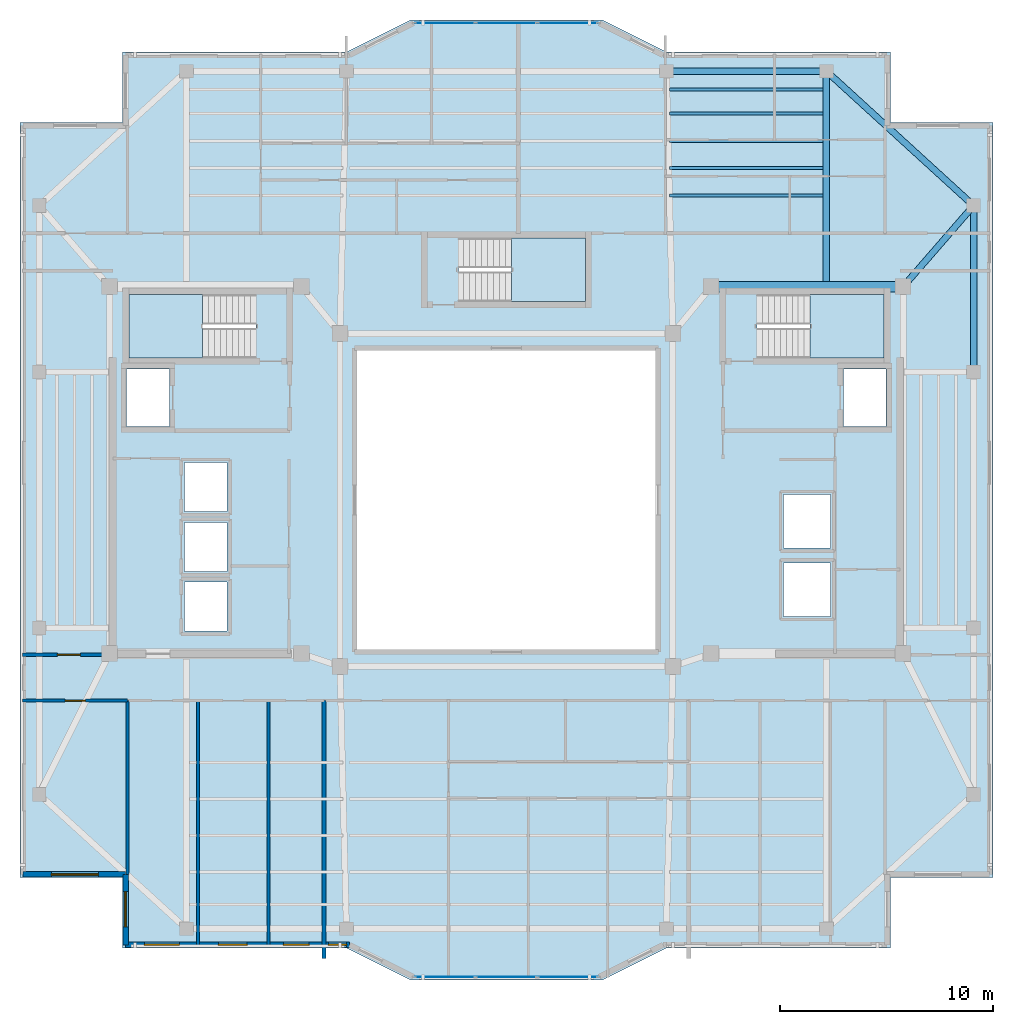
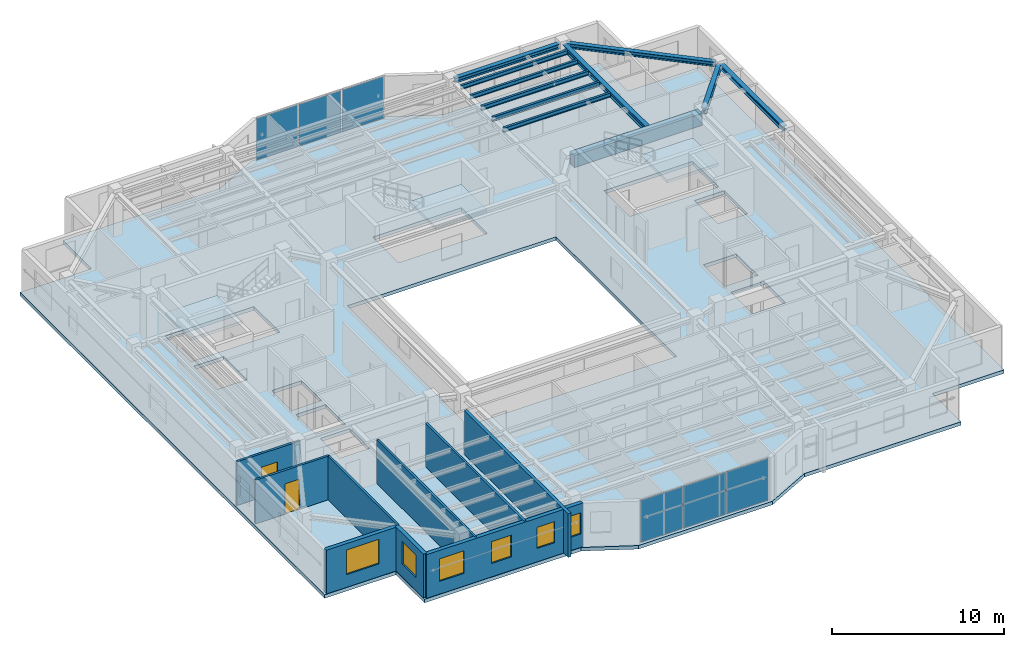
# One storey, part 5 of 13: 11 beams, 9 walls, 6 plates, 6 windows, 4 slabs, 2 doors, 8 openings, 5 elements without a shape of their own.
"""IFC4 building model written with IfcOpenShell, lengths in metres."""

from ifc_helpers import new_model, si_unit, direction, frame, frame_2d, origin, origin_2d, place, context, subcontext, project, spatial, polyline, rectangle, i_section, outline, extrude, material, layer, layer_set, material_profile, profile_set, type_object, element, fill, aggregate, save


model = new_model("IFC4")

# Units and contexts
model_context = context("Model", 3, precision=1e-05, world=origin(), true_north=direction((0.0, 1.0)))
body_context = subcontext(model_context, "Body", "Model", "MODEL_VIEW")
ifc_project = project(units=[si_unit("LENGTHUNIT", "METRE"), si_unit("AREAUNIT", "SQUARE_METRE"), si_unit("VOLUMEUNIT", "CUBIC_METRE"), si_unit("PLANEANGLEUNIT", "RADIAN"), si_unit("MASSUNIT", "GRAM", prefix="KILO")], contexts=[model_context])

# Site, building, storey
site_placement = place(None, origin())
site = spatial("IfcSite", under=ifc_project, at=site_placement, CompositionType="ELEMENT")
building_placement = place(site_placement, origin())
building = spatial("IfcBuilding", under=site, at=building_placement, Name="Tarnavaz Court Tower", CompositionType="ELEMENT")
storey_placement = place(building_placement, frame((0.0, 0.0, 251.550048828125)))
storey = spatial("IfcBuildingStorey", under=building, at=storey_placement, Name="L68", CompositionType="ELEMENT", Elevation=251.550048828125)

# Beams
ifc_material_1 = material(Name="Concrete C50/60", Category="concrete")
ifc_material_profile_1 = material_profile(ifc_material_1, rectangle(XDim=0.5, YDim=0.85009765625, at=origin_2d()), Name="RC 500X850")
ifc_profile_set_1 = profile_set([ifc_material_profile_1], Name="Concrete C50/60")
beam_type_1 = type_object("IfcBeamType", Name="BM-CB850", PredefinedType="LINTEL", material=ifc_profile_set_1)
beam_1_placement = place(storey_placement, frame((18.3798828125, 10.0, 2.675048828125), z_axis=(-1.0, 0.0, 0.0), x_axis=(0.0, -1.0, 0.0)))
element("IfcBeam", 1, at=beam_1_placement, inside=storey, type_object=beam_type_1, Name="L68 Beam IN-CE-NO-CE-NI", PredefinedType="LINTEL", context=body_context, shape_type="SweptSolid", body=[
    extrude(rectangle(XDim=0.5, YDim=0.85009765625, at=origin_2d()), origin(), (0.0, 0.0, 1.0), 8.559814453125),
])
ifc_material_2 = material(Name="Steel S355", Category="steel")
ifc_material_profile_2 = material_profile(ifc_material_2, i_section(OverallWidth=0.300048828125, OverallDepth=0.39990234375, WebThickness=0.013427734375, FlangeThickness=0.02392578125, FilletRadius=0.027099609375, at=origin_2d()), Name="HEB 400")
ifc_profile_set_2 = profile_set([ifc_material_profile_2], Name="Steel S355")
beam_type_2 = type_object("IfcBeamType", Name="BM-G-HEB400", PredefinedType="USERDEFINED", material=ifc_profile_set_2)
beam_2_placement = place(storey_placement, frame((15.0, 10.0400390625, 2.89990234375), z_axis=(0.0, 1.0, 0.0), x_axis=(-1.0, 0.0, 0.0)))
element("IfcBeam", 2, at=beam_2_placement, inside=storey, type_object=beam_type_2, Name="L68 Beam RG-04", ObjectType="GIRDER", PredefinedType="USERDEFINED", context=body_context, shape_type="SweptSolid", body=[
    extrude(i_section(OverallWidth=0.300048828125, OverallDepth=0.39990234375, WebThickness=0.013427734375, FlangeThickness=0.02392578125, FilletRadius=0.027099609375, at=origin_2d()), origin(), (0.0, 0.0, 1.0), 9.83984375),
])
beam_3_placement = place(storey_placement, frame((18.744384765625, 10.166015625, 2.89990234375), z_axis=(0.65565475567, 0.755060819648, 0.0), x_axis=(-0.755060819648, 0.65565475567, 0.0)))
element("IfcBeam", 3, at=beam_3_placement, inside=storey, type_object=beam_type_2, Name="L68 Beam RG-12", ObjectType="GIRDER", PredefinedType="USERDEFINED", context=body_context, shape_type="SweptSolid", body=[
    extrude(i_section(OverallWidth=0.300048828125, OverallDepth=0.39990234375, WebThickness=0.013427734375, FlangeThickness=0.02392578125, FilletRadius=0.027099609375, at=origin_2d()), origin(), (0.0, 0.0, 1.0), 4.5927734375),
])
ifc_material_profile_3 = material_profile(ifc_material_2, i_section(OverallWidth=0.14990234375, OverallDepth=0.300048828125, WebThickness=0.007080078125, FlangeThickness=0.0107421875, FilletRadius=0.014892578125, at=origin_2d()), Name="IPE 300")
ifc_profile_set_3 = profile_set([ifc_material_profile_3], Name="Steel S355")
beam_type_3 = type_object("IfcBeamType", Name="BM-J-IPE300", PredefinedType="JOIST", material=ifc_profile_set_3)
for number, where, z_axis, x_axis, name in (
    (4, (7.64990234375, 14.278076171875, 2.949951171875), (1.0, 0.0, 0.0), (0.0, 1.0, 0.0), "L68 Beam JN1-3"),
    (5, (7.64990234375, 15.555908203125, 2.949951171875), (1.0, 0.0, 0.0), (0.0, 1.0, 0.0), "L68 Beam JN2-3"),
    (6, (7.64990234375, 16.833984375, 2.949951171875), (1.0, 0.0, 0.0), (0.0, 1.0, 0.0), "L68 Beam JN3-3"),
    (7, (7.64990234375, 18.112060546875, 2.949951171875), (1.0, 0.0, 0.0), (0.0, 1.0, 0.0), "L68 Beam JN4-3"),
    (8, (7.64990234375, 19.248046875, 2.949951171875), (1.0, 0.0, 0.0), (0.0, 1.0, 0.0), "L68 Beam JN5-3"),
):
    element("IfcBeam", number, at=place(storey_placement, frame(where, z_axis=z_axis, x_axis=x_axis)), inside=storey, type_object=beam_type_3, Name=name, PredefinedType="JOIST", context=body_context, shape_type="SweptSolid", body=[
        extrude(i_section(OverallWidth=0.14990234375, OverallDepth=0.300048828125, WebThickness=0.007080078125, FlangeThickness=0.0107421875, FilletRadius=0.014892578125, at=origin_2d()), origin(), (0.0, 0.0, 1.0), 7.2001953125),
    ])
ifc_material_profile_4 = material_profile(ifc_material_2, i_section(OverallWidth=0.300048828125, OverallDepth=0.330078125, WebThickness=0.009521484375, FlangeThickness=0.0166015625, FilletRadius=0.027099609375, at=origin_2d()), Name="HEA 340")
ifc_profile_set_4 = profile_set([ifc_material_profile_4], Name="Steel S355")
beam_type_4 = type_object("IfcBeamType", Name="BM-SP-HEA340", PredefinedType="BEAM", material=ifc_profile_set_4)
beam_4_placement = place(storey_placement, frame((7.719970703125, 20.10009765625, 2.93505859375), z_axis=(1.0, 0.0, 0.0), x_axis=(0.0, 1.0, 0.0)))
element("IfcBeam", 9, at=beam_4_placement, inside=storey, type_object=beam_type_4, Name="L68 Beam PR-PN-3-PN-4", PredefinedType="BEAM", context=body_context, shape_type="SweptSolid", body=[
    extrude(i_section(OverallWidth=0.300048828125, OverallDepth=0.330078125, WebThickness=0.009521484375, FlangeThickness=0.0166015625, FilletRadius=0.027099609375, at=origin_2d()), origin(), (0.0, 0.0, 1.0), 7.06005859375),
])
beam_5_placement = place(storey_placement, frame((21.89990234375, 6.219970703125, 2.93505859375), z_axis=(0.0, 1.0, 0.0), x_axis=(-1.0, 0.0, 0.0)))
element("IfcBeam", 10, at=beam_5_placement, inside=storey, type_object=beam_type_4, Name="L68 Beam PR-PE-3-PE-4", PredefinedType="BEAM", context=body_context, shape_type="SweptSolid", body=[
    extrude(i_section(OverallWidth=0.300048828125, OverallDepth=0.330078125, WebThickness=0.009521484375, FlangeThickness=0.0166015625, FilletRadius=0.027099609375, at=origin_2d()), origin(), (0.0, 0.0, 1.0), 7.360107421875),
])
beam_6_placement = place(storey_placement, frame((15.16259765625, 19.95166015625, 2.93505859375), z_axis=(0.738474214476, -0.674281717499, 0.0), x_axis=(0.674281717499, 0.738474214476, 0.0)))
element("IfcBeam", 11, at=beam_6_placement, inside=storey, type_object=beam_type_4, Name="L68 Beam PR-PN-4-PE-4", PredefinedType="BEAM", context=body_context, shape_type="SweptSolid", body=[
    extrude(i_section(OverallWidth=0.300048828125, OverallDepth=0.330078125, WebThickness=0.009521484375, FlangeThickness=0.0166015625, FilletRadius=0.027099609375, at=origin_2d()), origin(), (0.0, 0.0, 1.0), 8.9033203125),
])

# Curtain wall, plates
ifc_material_3 = material(Name="Anodised Aluminium 6063-T6 and Solar Low-E Glazing", Category="aluminium")
ifc_layer_1 = layer(ifc_material_3, 0.159912109375)
ifc_layer_set_1 = layer_set([ifc_layer_1], Name="Anodised Aluminium 6063-T6 and Solar Low-E Glazing")
curtain_wall_type = type_object("IfcCurtainWallType", Name="CW-SYS-03", PredefinedType="NOTDEFINED", material=ifc_layer_set_1)
curtain_wall_1_placement = place(storey_placement, origin())
curtain_wall_1 = element("IfcCurtainWall", 12, at=curtain_wall_1_placement, inside=storey, type_object=curtain_wall_type, Name="L68 Iwan Prow Curtain Wall 7", PredefinedType="NOTDEFINED")
ifc_material_4 = material(Name="Double-Glazed Solar Low-E Glass", Category="glass")
ifc_layer_2 = layer(ifc_material_4, 0.028076171875)
ifc_layer_set_2 = layer_set([ifc_layer_2], Name="Double-Glazed Solar Low-E Glass")
plate_type = type_object("IfcPlateType", Name="CW-PAN-GLZ28", PredefinedType="CURTAIN_PANEL", material=ifc_layer_set_2)
plate_1_placement = place(storey_placement, frame((-2.88134765625, 22.35009765625, 0.06494140625), z_axis=(0.0, 0.0, 1.0), x_axis=(1.0, 0.0, 0.0)))
plate_1 = element("IfcPlate", 13, at=plate_1_placement, type_object=plate_type, Name="CW panel 1.1", PredefinedType="CURTAIN_PANEL", context=body_context, shape_type="SweptSolid", body=[
    extrude(rectangle(XDim=2.78759765625, YDim=0.028076171875, at=origin_2d()), origin(), (0.0, 0.0, 1.0), 2.969970703125),
])
plate_2_placement = place(storey_placement, frame((0.0, 22.35009765625, 0.06494140625), z_axis=(0.0, 0.0, 1.0), x_axis=(1.0, 0.0, 0.0)))
plate_2 = element("IfcPlate", 14, at=plate_2_placement, type_object=plate_type, Name="CW panel 2.1", PredefinedType="CURTAIN_PANEL", context=body_context, shape_type="SweptSolid", body=[
    extrude(rectangle(XDim=2.824951171875, YDim=0.028076171875, at=origin_2d()), origin(), (0.0, 0.0, 1.0), 2.969970703125),
])
plate_3_placement = place(storey_placement, frame((2.88134765625, 22.35009765625, 0.06494140625), z_axis=(0.0, 0.0, 1.0), x_axis=(1.0, 0.0, 0.0)))
plate_3 = element("IfcPlate", 15, at=plate_3_placement, type_object=plate_type, Name="CW panel 3.1", PredefinedType="CURTAIN_PANEL", context=body_context, shape_type="SweptSolid", body=[
    extrude(rectangle(XDim=2.78759765625, YDim=0.028076171875, at=origin_2d()), origin(), (0.0, 0.0, 1.0), 2.969970703125),
])
aggregate(curtain_wall_1, [plate_1, plate_2, plate_3])

curtain_wall_2_placement = place(storey_placement, origin())
curtain_wall_2 = element("IfcCurtainWall", 16, at=curtain_wall_2_placement, inside=storey, type_object=curtain_wall_type, Name="L68 Iwan Prow Curtain Wall 17", PredefinedType="NOTDEFINED")
plate_4_placement = place(storey_placement, frame((2.88134765625, -22.35009765625, 0.06494140625), z_axis=(0.0, 0.0, 1.0), x_axis=(-1.0, 0.0, 0.0)))
plate_4 = element("IfcPlate", 17, at=plate_4_placement, type_object=plate_type, Name="CW panel 1.1", PredefinedType="CURTAIN_PANEL", context=body_context, shape_type="SweptSolid", body=[
    extrude(rectangle(XDim=2.78759765625, YDim=0.028076171875, at=origin_2d()), origin(), (0.0, 0.0, 1.0), 2.969970703125),
])
plate_5_placement = place(storey_placement, frame((0.0, -22.35009765625, 0.06494140625), z_axis=(0.0, 0.0, 1.0), x_axis=(-1.0, 0.0, 0.0)))
plate_5 = element("IfcPlate", 18, at=plate_5_placement, type_object=plate_type, Name="CW panel 2.1", PredefinedType="CURTAIN_PANEL", context=body_context, shape_type="SweptSolid", body=[
    extrude(rectangle(XDim=2.824951171875, YDim=0.028076171875, at=origin_2d()), origin(), (0.0, 0.0, 1.0), 2.969970703125),
])
plate_6_placement = place(storey_placement, frame((-2.88134765625, -22.35009765625, 0.06494140625), z_axis=(0.0, 0.0, 1.0), x_axis=(-1.0, 0.0, 0.0)))
plate_6 = element("IfcPlate", 19, at=plate_6_placement, type_object=plate_type, Name="CW panel 3.1", PredefinedType="CURTAIN_PANEL", context=body_context, shape_type="SweptSolid", body=[
    extrude(rectangle(XDim=2.78759765625, YDim=0.028076171875, at=origin_2d()), origin(), (0.0, 0.0, 1.0), 2.969970703125),
])
aggregate(curtain_wall_2, [plate_4, plate_5, plate_6])

# Stair, slab
ifc_material_5 = material(Name="Concrete C40/50", Category="concrete")
stair_type = type_object("IfcStairType", Name="ST-TWR-20R", PredefinedType="HALF_TURN_STAIR", material=ifc_material_5)
stair_1_placement = place(storey_placement, origin())
stair_1 = element("IfcStair", 20, at=stair_1_placement, inside=storey, type_object=stair_type, Name="L68 West Core Pressurized Exit Stair ST-W1", PredefinedType="HALF_TURN_STAIR")
ifc_layer_3 = layer(ifc_material_5, 0.199951171875)
ifc_layer_set_3 = layer_set([ifc_layer_3], Name="Concrete C40/50")
slab_type_1 = type_object("IfcSlabType", Name="SL-LAND-200", PredefinedType="LANDING", material=ifc_layer_set_3)
slab_1_placement = place(storey_placement, frame((0.0, 0.0, 1.474853515625)))
slab_1 = element("IfcSlab", 21, at=slab_1_placement, type_object=slab_type_1, Name="ST-W1 landing 1", PredefinedType="LANDING", context=body_context, shape_type="SweptSolid", body=[
    extrude(outline(polyline([(-14.239990234375, 9.639892578125), (-17.699951171875, 9.639892578125), (-17.699951171875, 6.64990234375), (-14.239990234375, 6.64990234375), (-14.239990234375, 9.639892578125)])), origin(), (0.0, 0.0, 1.0), 0.2001953125),
])
aggregate(stair_1, [slab_1])

stair_2_placement = place(storey_placement, origin())
stair_2 = element("IfcStair", 22, at=stair_2_placement, inside=storey, type_object=stair_type, Name="L68 East Core Pressurized Exit Stair ST-E1", PredefinedType="HALF_TURN_STAIR")
slab_2_placement = place(storey_placement, frame((0.0, 0.0, 1.474853515625)))
slab_2 = element("IfcSlab", 23, at=slab_2_placement, type_object=slab_type_1, Name="ST-E1 landing 1", PredefinedType="LANDING", context=body_context, shape_type="SweptSolid", body=[
    extrude(outline(polyline([(14.239990234375, 6.64990234375), (17.699951171875, 6.64990234375), (17.699951171875, 9.639892578125), (14.239990234375, 9.639892578125), (14.239990234375, 6.64990234375)])), origin(), (0.0, 0.0, 1.0), 0.2001953125),
])
aggregate(stair_2, [slab_2])

stair_3_placement = place(storey_placement, origin())
stair_3 = element("IfcStair", 24, at=stair_3_placement, inside=storey, type_object=stair_type, Name="L68 North Ring Pressurized Exit Stair ST-N1", PredefinedType="HALF_TURN_STAIR")
slab_3_placement = place(storey_placement, frame((0.0, 0.0, 1.474853515625)))
slab_3 = element("IfcSlab", 25, at=slab_3_placement, type_object=slab_type_1, Name="ST-N1 landing 1", PredefinedType="LANDING", context=body_context, shape_type="SweptSolid", body=[
    extrude(outline(polyline([(0.239990234375, 9.300048828125), (3.699951171875, 9.300048828125), (3.699951171875, 12.2900390625), (0.239990234375, 12.2900390625), (0.239990234375, 9.300048828125)])), origin(), (0.0, 0.0, 1.0), 0.2001953125),
])
aggregate(stair_3, [slab_3])

# Slab
ifc_layer_4 = layer(ifc_material_5, 0.25)
ifc_layer_set_4 = layer_set([ifc_layer_4], Name="Concrete C40/50")
slab_type_2 = type_object("IfcSlabType", Name="SL-RES-250", PredefinedType="FLOOR", material=ifc_layer_set_4)
slab_4_placement = place(storey_placement, frame((0.0, 0.0, -0.25)))
element("IfcSlab", 26, at=slab_4_placement, inside=storey, type_object=slab_type_2, Name="L68 Structural Floor Slab", PredefinedType="FLOOR", context=body_context, shape_type="SweptSolid", body=[
    extrude(outline(polyline([(-18.0, -21.0), (-7.5, -21.0), (-4.5, -22.5), (4.5, -22.5), (7.5, -21.0), (18.0, -21.0), (18.0, -17.699951171875), (22.800048828125, -17.699951171875), (22.800048828125, 17.699951171875), (18.0, 17.699951171875), (18.0, 21.0), (7.5, 21.0), (4.5, 22.5), (-4.5, 22.5), (-7.5, 21.0), (-18.0, 21.0), (-18.0, 17.699951171875), (-22.800048828125, 17.699951171875), (-22.800048828125, -17.699951171875), (-18.0, -17.699951171875), (-18.0, -21.0)]), holes=[polyline([(-7.0, -7.0), (7.0, -7.0), (7.0, 7.0), (-7.0, 7.0), (-7.0, -7.0)]), polyline([(-11.7451171875, 9.639892578125), (-17.699951171875, 9.639892578125), (-17.699951171875, 6.64990234375), (-11.7451171875, 6.64990234375), (-11.7451171875, 9.639892578125)]), polyline([(11.7451171875, 6.64990234375), (17.699951171875, 6.64990234375), (17.699951171875, 9.639892578125), (11.7451171875, 9.639892578125), (11.7451171875, 6.64990234375)]), polyline([(-2.2548828125, 9.300048828125), (3.699951171875, 9.300048828125), (3.699951171875, 12.2900390625), (-2.2548828125, 12.2900390625), (-2.2548828125, 9.300048828125)]), polyline([(-17.800048828125, 3.449951171875), (-15.800048828125, 3.449951171875), (-15.800048828125, 6.14990234375), (-17.800048828125, 6.14990234375), (-17.800048828125, 3.449951171875)]), polyline([(-15.10009765625, -6.14990234375), (-13.10009765625, -6.14990234375), (-13.10009765625, -3.85009765625), (-15.10009765625, -3.85009765625), (-15.10009765625, -6.14990234375)]), polyline([(-15.10009765625, -3.35009765625), (-13.10009765625, -3.35009765625), (-13.10009765625, -1.050048828125), (-15.10009765625, -1.050048828125), (-15.10009765625, -3.35009765625)]), polyline([(-15.10009765625, -0.550048828125), (-13.10009765625, -0.550048828125), (-13.10009765625, 1.75), (-15.10009765625, 1.75), (-15.10009765625, -0.550048828125)]), polyline([(15.800048828125, 3.449951171875), (17.800048828125, 3.449951171875), (17.800048828125, 6.14990234375), (15.800048828125, 6.14990234375), (15.800048828125, 3.449951171875)]), polyline([(13.0, -5.449951171875), (15.199951171875, -5.449951171875), (15.199951171875, -2.949951171875), (13.0, -2.949951171875), (13.0, -5.449951171875)]), polyline([(13.0, -2.25), (15.199951171875, -2.25), (15.199951171875, 0.25), (13.0, 0.25), (13.0, -2.25)])]), origin(), (0.0, 0.0, 1.0), 0.25),
])

# Wall, opening, window
ifc_material_6 = material(Name="Precast Concrete C40/50", Category="concrete")
ifc_layer_5 = layer(ifc_material_6, 0.260009765625)
ifc_layer_set_5 = layer_set([ifc_layer_5], Name="Precast Concrete C40/50")
wall_type_1 = type_object("IfcWallType", Name="WL-EXT-260", PredefinedType="SOLIDWALL", material=ifc_layer_set_5)
wall_1_placement = place(storey_placement, frame((-17.85009765625, -17.550048828125, 0.0), z_axis=(0.0, 0.0, 1.0), x_axis=(-1.0, 0.0, 0.0)))
wall_1 = element("IfcWall", 27, at=wall_1_placement, inside=storey, type_object=wall_type_1, Name="L68 Exterior Terracotta Facade Wall 01", PredefinedType="SOLIDWALL", context=body_context, shape_type="SweptSolid", body=[
    extrude(rectangle(XDim=4.7998046875, YDim=0.260009765625, at=frame_2d((2.39990234375, 0.0))), origin(), (0.0, 0.0, 1.0), 3.099853515625),
])
opening_1_placement = place(wall_1_placement, frame((1.274658203125, 0.0, 0.89990234375)))
opening_1 = element("IfcOpeningElement", 28, at=opening_1_placement, cuts=wall_1, Name="Opening W07", PredefinedType="OPENING", context=body_context, shape_type="SweptSolid", body=[
    extrude(rectangle(XDim=2.199951171875, YDim=1.75, at=frame_2d((1.10009765625, 0.875))), frame((0.0, 0.139892578125, 0.0), z_axis=(0.0, -1.0, 0.0), x_axis=(1.0, 0.0, 0.0)), (0.0, 0.0, 1.0), 0.280029296875),
])
window_type_1 = type_object("IfcWindowType", Name="WN-APT-2200", PartitioningType="TRIPLE_PANEL_VERTICAL", PredefinedType="WINDOW", material=ifc_material_4)
window_1_placement = place(opening_1_placement, origin())
window_1 = element("IfcWindow", 29, at=window_1_placement, inside=storey, type_object=window_type_1, Name="L68 South-West Corner Reading Room Window", OverallHeight=1.75, OverallWidth=2.199951171875, PartitioningType="SINGLE_PANEL", PredefinedType="WINDOW", context=body_context, shape_type="SweptSolid", body=[
    extrude(rectangle(XDim=2.199951171875, YDim=1.75, at=frame_2d((1.10009765625, 0.875))), frame((0.0, 0.030029296875, 0.0), z_axis=(0.0, -1.0, 0.0), x_axis=(1.0, 0.0, 0.0)), (0.0, 0.0, 1.0), 0.06005859375),
])
fill(opening_1, window_1)

# Wall, openings, windows
wall_2_placement = place(storey_placement, frame((-7.35009765625, -20.85009765625, 0.0), z_axis=(0.0, 0.0, 1.0), x_axis=(-1.0, 0.0, 0.0)))
wall_2 = element("IfcWall", 30, at=wall_2_placement, inside=storey, type_object=wall_type_1, Name="L68 Exterior Terracotta Facade Wall 19", PredefinedType="SOLIDWALL", context=body_context, shape_type="SweptSolid", body=[
    extrude(rectangle(XDim=10.5, YDim=0.260009765625, at=frame_2d((5.25, 0.0))), origin(), (0.0, 0.0, 1.0), 3.099853515625),
])
opening_2_placement = place(wall_2_placement, frame((0.14501953125, 0.0, 0.949951171875)))
opening_2 = element("IfcOpeningElement", 31, at=opening_2_placement, cuts=wall_2, Name="Opening W15", PredefinedType="OPENING", context=body_context, shape_type="SweptSolid", body=[
    extrude(rectangle(XDim=0.85009765625, YDim=1.5, at=frame_2d((0.425048828125, 0.75))), frame((0.0, 0.139892578125, 0.0), z_axis=(0.0, -1.0, 0.0), x_axis=(1.0, 0.0, 0.0)), (0.0, 0.0, 1.0), 0.280029296875),
])
opening_3_placement = place(wall_2_placement, frame((1.89990234375, 0.0, 0.949951171875)))
opening_3 = element("IfcOpeningElement", 32, at=opening_3_placement, cuts=wall_2, Name="Opening W05", PredefinedType="OPENING", context=body_context, shape_type="SweptSolid", body=[
    extrude(rectangle(XDim=1.199951171875, YDim=1.5, at=frame_2d((0.60009765625, 0.75))), frame((0.0, 0.139892578125, 0.0), z_axis=(0.0, -1.0, 0.0), x_axis=(1.0, 0.0, 0.0)), (0.0, 0.0, 1.0), 0.280029296875),
])
opening_4_placement = place(wall_2_placement, frame((4.800048828125, 0.0, 0.949951171875)))
opening_4 = element("IfcOpeningElement", 33, at=opening_4_placement, cuts=wall_2, Name="Opening W04", PredefinedType="OPENING", context=body_context, shape_type="SweptSolid", body=[
    extrude(rectangle(XDim=1.35009765625, YDim=1.550048828125, at=frame_2d((0.675048828125, 0.77490234375))), frame((0.0, 0.139892578125, 0.0), z_axis=(0.0, -1.0, 0.0), x_axis=(1.0, 0.0, 0.0)), (0.0, 0.0, 1.0), 0.280029296875),
])
opening_5_placement = place(wall_2_placement, frame((7.97509765625, 0.0, 0.89990234375)))
opening_5 = element("IfcOpeningElement", 34, at=opening_5_placement, cuts=wall_2, Name="Opening W02", PredefinedType="OPENING", context=body_context, shape_type="SweptSolid", body=[
    extrude(rectangle(XDim=1.64990234375, YDim=1.60009765625, at=frame_2d((0.824951171875, 0.800048828125))), frame((0.0, 0.139892578125, 0.0), z_axis=(0.0, -1.0, 0.0), x_axis=(1.0, 0.0, 0.0)), (0.0, 0.0, 1.0), 0.280029296875),
])
window_type_2 = type_object("IfcWindowType", Name="WN-APT-1200", PartitioningType="SINGLE_PANEL", PredefinedType="WINDOW", material=ifc_material_4)
window_2_placement = place(opening_3_placement, origin())
window_2 = element("IfcWindow", 35, at=window_2_placement, inside=storey, type_object=window_type_2, Name="L68 Resident Focus Seminar Room Window", OverallHeight=1.5, OverallWidth=1.199951171875, PartitioningType="SINGLE_PANEL", PredefinedType="WINDOW", context=body_context, shape_type="SweptSolid", body=[
    extrude(rectangle(XDim=1.199951171875, YDim=1.5, at=frame_2d((0.60009765625, 0.75))), frame((0.0, 0.030029296875, 0.0), z_axis=(0.0, -1.0, 0.0), x_axis=(1.0, 0.0, 0.0)), (0.0, 0.0, 1.0), 0.06005859375),
])
fill(opening_3, window_2)
window_type_3 = type_object("IfcWindowType", Name="WN-APT-1350", PartitioningType="SINGLE_PANEL", PredefinedType="WINDOW", material=ifc_material_4)
window_3_placement = place(opening_4_placement, origin())
window_3 = element("IfcWindow", 36, at=window_3_placement, inside=storey, type_object=window_type_3, Name="L68 Quiet Reading Library Room Window", OverallHeight=1.550048828125, OverallWidth=1.35009765625, PartitioningType="SINGLE_PANEL", PredefinedType="WINDOW", context=body_context, shape_type="SweptSolid", body=[
    extrude(rectangle(XDim=1.35009765625, YDim=1.550048828125, at=frame_2d((0.675048828125, 0.77490234375))), frame((0.0, 0.030029296875, 0.0), z_axis=(0.0, -1.0, 0.0), x_axis=(1.0, 0.0, 0.0)), (0.0, 0.0, 1.0), 0.06005859375),
])
fill(opening_4, window_3)
window_type_4 = type_object("IfcWindowType", Name="WN-APT-1650", PartitioningType="DOUBLE_PANEL_VERTICAL", PredefinedType="WINDOW", material=ifc_material_4)
window_4_placement = place(opening_5_placement, origin())
window_4 = element("IfcWindow", 37, at=window_4_placement, inside=storey, type_object=window_type_4, Name="L68 Resident Co-Working Study Room Window", OverallHeight=1.60009765625, OverallWidth=1.64990234375, PartitioningType="SINGLE_PANEL", PredefinedType="WINDOW", context=body_context, shape_type="SweptSolid", body=[
    extrude(rectangle(XDim=1.64990234375, YDim=1.60009765625, at=frame_2d((0.824951171875, 0.800048828125))), frame((0.0, 0.030029296875, 0.0), z_axis=(0.0, -1.0, 0.0), x_axis=(1.0, 0.0, 0.0)), (0.0, 0.0, 1.0), 0.06005859375),
])
fill(opening_5, window_4)
window_type_5 = type_object("IfcWindowType", Name="WN-APT-850", PartitioningType="SINGLE_PANEL", PredefinedType="WINDOW", material=ifc_material_4)
window_5_placement = place(opening_2_placement, origin())
window_5 = element("IfcWindow", 38, at=window_5_placement, inside=storey, type_object=window_type_5, Name="L68 Flat 03 Living and Dining Room Window", OverallHeight=1.5, OverallWidth=0.85009765625, PartitioningType="SINGLE_PANEL", PredefinedType="WINDOW", context=body_context, shape_type="SweptSolid", body=[
    extrude(rectangle(XDim=0.85009765625, YDim=1.5, at=frame_2d((0.425048828125, 0.75))), frame((0.0, 0.030029296875, 0.0), z_axis=(0.0, -1.0, 0.0), x_axis=(1.0, 0.0, 0.0)), (0.0, 0.0, 1.0), 0.06005859375),
])
fill(opening_2, window_5)

# Wall, opening, window
wall_3_placement = place(storey_placement, frame((-17.85009765625, -20.85009765625, 0.0), z_axis=(0.0, 0.0, 1.0), x_axis=(0.0, 1.0, 0.0)))
wall_3 = element("IfcWall", 39, at=wall_3_placement, inside=storey, type_object=wall_type_1, Name="L68 Exterior Terracotta Facade Wall 20", PredefinedType="SOLIDWALL", context=body_context, shape_type="SweptSolid", body=[
    extrude(rectangle(XDim=3.300048828125, YDim=0.260009765625, at=frame_2d((1.64990234375, 0.0))), origin(), (0.0, 0.0, 1.0), 3.099853515625),
])
opening_6_placement = place(wall_3_placement, frame((0.842529296875, 0.0, 0.89990234375)))
opening_6 = element("IfcOpeningElement", 40, at=opening_6_placement, cuts=wall_3, Name="Opening W02", PredefinedType="OPENING", context=body_context, shape_type="SweptSolid", body=[
    extrude(rectangle(XDim=1.64990234375, YDim=1.60009765625, at=frame_2d((0.824951171875, 0.800048828125))), frame((0.0, 0.139892578125, 0.0), z_axis=(0.0, -1.0, 0.0), x_axis=(1.0, 0.0, 0.0)), (0.0, 0.0, 1.0), 0.280029296875),
])
window_6_placement = place(opening_6_placement, origin())
window_6 = element("IfcWindow", 41, at=window_6_placement, inside=storey, type_object=window_type_4, Name="L68 Resident Co-Working Study Room Window", OverallHeight=1.60009765625, OverallWidth=1.64990234375, PartitioningType="SINGLE_PANEL", PredefinedType="WINDOW", context=body_context, shape_type="SweptSolid", body=[
    extrude(rectangle(XDim=1.64990234375, YDim=1.60009765625, at=frame_2d((0.824951171875, 0.800048828125))), frame((0.0, 0.030029296875, 0.0), z_axis=(0.0, -1.0, 0.0), x_axis=(1.0, 0.0, 0.0)), (0.0, 0.0, 1.0), 0.06005859375),
])
fill(opening_6, window_6)

# Wall, opening, door
ifc_material_7 = material(Name="Gypsum Fire-Board on Acoustic Metal Stud", Category="masonry")
ifc_layer_6 = layer(ifc_material_7, 0.14990234375)
ifc_layer_set_6 = layer_set([ifc_layer_6], Name="Gypsum Fire-Board on Acoustic Metal Stud")
wall_type_2 = type_object("IfcWallType", Name="WL-FIRE-150", PredefinedType="PARTITIONING", material=ifc_layer_set_6)
wall_4_placement = place(storey_placement, frame((-22.679931640625, -7.25, 0.0), z_axis=(0.0, 0.0, 1.0), x_axis=(1.0, 0.0, 0.0)))
wall_4 = element("IfcWall", 42, at=wall_4_placement, inside=storey, type_object=wall_type_2, Name="L68 Interior Partition 088", PredefinedType="PARTITIONING", context=body_context, shape_type="SweptSolid", body=[
    extrude(rectangle(XDim=4.22998046875, YDim=0.14990234375, at=frame_2d((2.114990234375, 0.0))), origin(), (0.0, 0.0, 1.0), 3.099853515625),
])
opening_7_placement = place(wall_4_placement, frame((1.6298828125, 0.0, 0.0)))
opening_7 = element("IfcOpeningElement", 43, at=opening_7_placement, cuts=wall_4, Name="Opening D12", PredefinedType="OPENING", context=body_context, shape_type="SweptSolid", body=[
    extrude(rectangle(XDim=1.080078125, YDim=2.14990234375, at=frame_2d((0.5400390625, 1.074951171875))), frame((0.0, 0.0849609375, 0.0), z_axis=(0.0, -1.0, 0.0), x_axis=(1.0, 0.0, 0.0)), (0.0, 0.0, 1.0), 0.169921875),
])
ifc_material_8 = material(Name="Engineered Oak Timber", Category="wood")
door_type_1 = type_object("IfcDoorType", Name="DR-INT-1100", OperationType="NOTDEFINED", PredefinedType="DOOR", material=ifc_material_8)
door_1_placement = place(opening_7_placement, origin())
door_1 = element("IfcDoor", 44, at=door_1_placement, inside=storey, type_object=door_type_1, Name="L68 West Study Gallery Door", OperationType="SINGLE_SWING_RIGHT", OverallHeight=2.14990234375, OverallWidth=1.080078125, PredefinedType="DOOR", context=body_context, shape_type="SweptSolid", body=[
    extrude(rectangle(XDim=1.080078125, YDim=2.14990234375, at=frame_2d((0.5400390625, 1.074951171875))), frame((0.0, 0.02490234375, 0.0), z_axis=(0.0, -1.0, 0.0), x_axis=(1.0, 0.0, 0.0)), (0.0, 0.0, 1.0), 0.050048828125),
])
fill(opening_7, door_1)

wall_5_placement = place(storey_placement, frame((-22.679931640625, -9.39990234375, 0.0), z_axis=(0.0, 0.0, 1.0), x_axis=(1.0, 0.0, 0.0)))
wall_5 = element("IfcWall", 45, at=wall_5_placement, inside=storey, type_object=wall_type_2, Name="L68 Interior Partition 098", PredefinedType="PARTITIONING", context=body_context, shape_type="SweptSolid", body=[
    extrude(rectangle(XDim=4.929931640625, YDim=0.14990234375, at=frame_2d((2.46484375, 0.0))), origin(), (0.0, 0.0, 1.0), 3.099853515625),
])
opening_8_placement = place(wall_5_placement, frame((1.989990234375, 0.0, 0.0)))
opening_8 = element("IfcOpeningElement", 46, at=opening_8_placement, cuts=wall_5, Name="Opening D13", PredefinedType="OPENING", context=body_context, shape_type="SweptSolid", body=[
    extrude(rectangle(XDim=0.949951171875, YDim=2.14990234375, at=frame_2d((0.47509765625, 1.074951171875))), frame((0.0, 0.0849609375, 0.0), z_axis=(0.0, -1.0, 0.0), x_axis=(1.0, 0.0, 0.0)), (0.0, 0.0, 1.0), 0.169921875),
])
door_type_2 = type_object("IfcDoorType", Name="DR-INT-950", OperationType="NOTDEFINED", PredefinedType="DOOR", material=ifc_material_8)
door_2_placement = place(opening_8_placement, origin())
door_2 = element("IfcDoor", 47, at=door_2_placement, inside=storey, type_object=door_type_2, Name="L68 SW Reading Room Door", OperationType="SINGLE_SWING_RIGHT", OverallHeight=2.14990234375, OverallWidth=0.949951171875, PredefinedType="DOOR", context=body_context, shape_type="SweptSolid", body=[
    extrude(rectangle(XDim=0.949951171875, YDim=2.14990234375, at=frame_2d((0.47509765625, 1.074951171875))), frame((0.0, 0.02490234375, 0.0), z_axis=(0.0, -1.0, 0.0), x_axis=(1.0, 0.0, 0.0)), (0.0, 0.0, 1.0), 0.050048828125),
])
fill(opening_8, door_2)

# Walls
ifc_material_9 = material(Name="Autoclaved Aerated Concrete Blockwork", Category="masonry")
ifc_layer_7 = layer(ifc_material_9, 0.199951171875)
ifc_layer_set_7 = layer_set([ifc_layer_7], Name="Autoclaved Aerated Concrete Blockwork")
wall_type_3 = type_object("IfcWallType", Name="WL-FIRE-200", PredefinedType="SOLIDWALL", material=ifc_layer_set_7)
wall_6_placement = place(storey_placement, frame((-8.550048828125, -21.50390625, 0.0), z_axis=(0.0, 0.0, 1.0), x_axis=(0.0, 1.0, 0.0)))
element("IfcWall", 48, at=wall_6_placement, inside=storey, type_object=wall_type_3, Name="L68 Party Wall 078", PredefinedType="SOLIDWALL", context=body_context, shape_type="SweptSolid", body=[
    extrude(rectangle(XDim=12.10400390625, YDim=0.199951171875, at=frame_2d((6.052001953125, 0.0))), origin(), (0.0, 0.0, 1.0), 3.099853515625),
])
ifc_material_10 = material(Name="Gypsum Plasterboard Acoustic Partition", Category="masonry")
ifc_layer_8 = layer(ifc_material_10, 0.139892578125)
ifc_layer_set_8 = layer_set([ifc_layer_8], Name="Gypsum Plasterboard Acoustic Partition")
wall_type_4 = type_object("IfcWallType", Name="WL-PART-150", PredefinedType="PARTITIONING", material=ifc_layer_set_8)
for number, where, z_axis, x_axis, name in (
    (49, (-14.4560546875, -20.85009765625, 0.0), (0.0, 0.0, 1.0), (0.0, 1.0, 0.0), "L68 Interior Partition 074"),
    (50, (-11.162109375, -20.85009765625, 0.0), (0.0, 0.0, 1.0), (0.0, 1.0, 0.0), "L68 Interior Partition 075"),
):
    element("IfcWall", number, at=place(storey_placement, frame(where, z_axis=z_axis, x_axis=x_axis)), inside=storey, type_object=wall_type_4, Name=name, PredefinedType="PARTITIONING", context=body_context, shape_type="SweptSolid", body=[
        extrude(rectangle(XDim=11.4501953125, YDim=0.139892578125, at=frame_2d((5.72509765625, 0.0))), origin(), (0.0, 0.0, 1.0), 3.099853515625),
    ])
wall_7_placement = place(storey_placement, frame((-17.75, -17.550048828125, 0.0), z_axis=(0.0, 0.0, 1.0), x_axis=(0.0, 1.0, 0.0)))
element("IfcWall", 51, at=wall_7_placement, inside=storey, type_object=wall_type_4, Name="L68 Interior Partition 092", PredefinedType="PARTITIONING", context=body_context, shape_type="SweptSolid", body=[
    extrude(rectangle(XDim=8.150146484375, YDim=0.139892578125, at=frame_2d((4.0751953125, 0.0))), origin(), (0.0, 0.0, 1.0), 3.099853515625),
])

save(model, "model.ifc")
